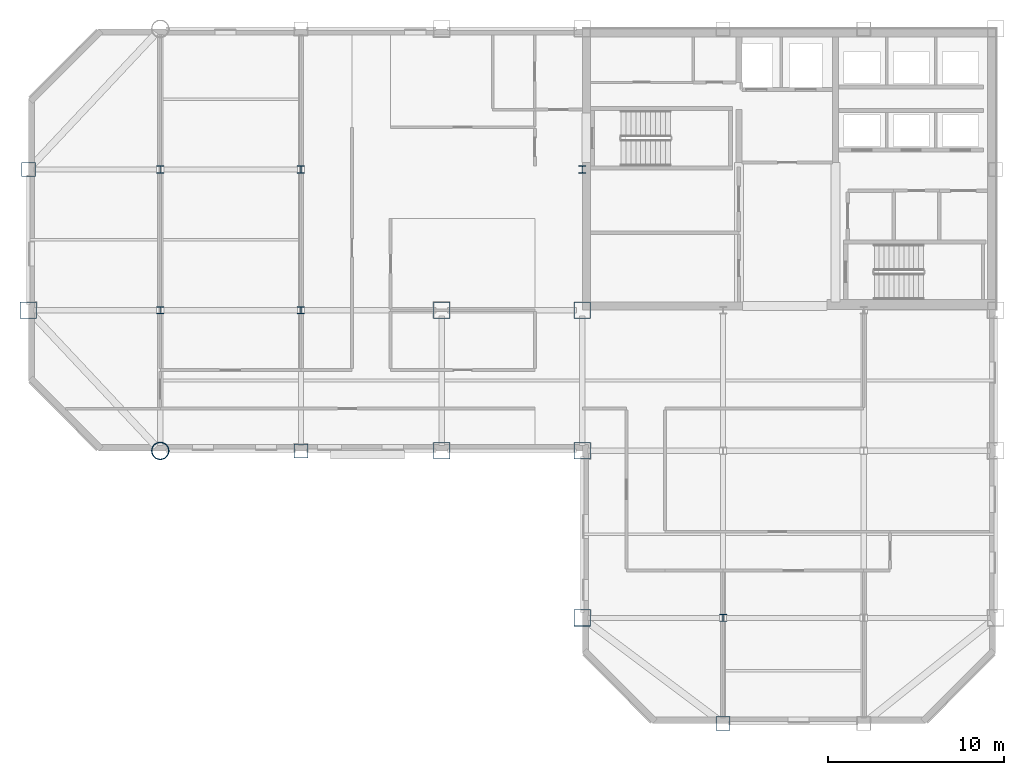
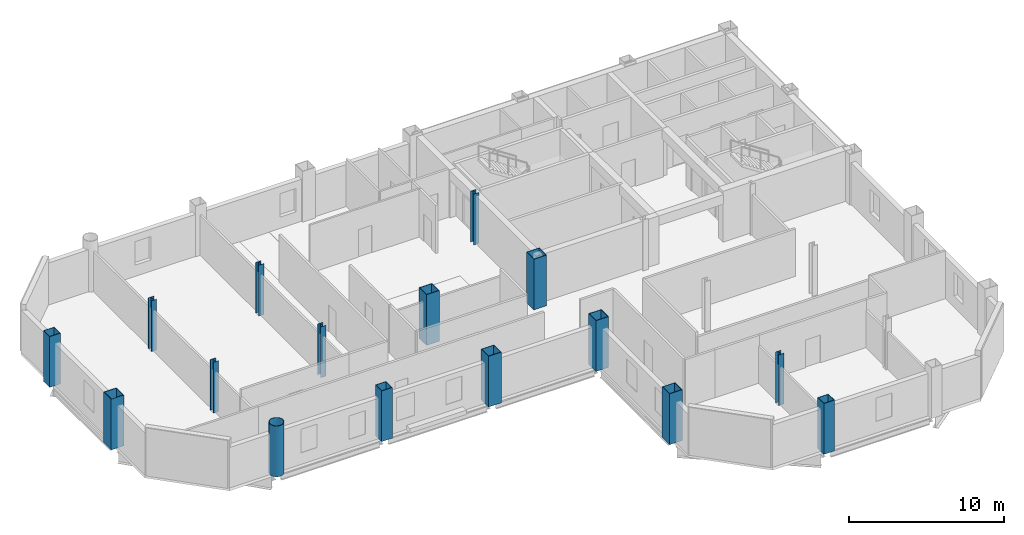
# One storey, part 1 of 10: 16 columns.
"""IFC4 building model written with IfcOpenShell, lengths in metres."""

import ifcopenshell
import ifcopenshell.guid

model = None  # the IFC model being written
_history = None  # IfcOwnerHistory: only IFC2X3 demands one
_inside = {}  # id of a spatial element -> (the spatial element, [elements in it])
_under = {}  # id of a project, library or spatial element -> (it, [spatial elements below it])
_declared = {}  # id of a project -> (the project, [libraries it declares])
_typed = {}  # id of a type object -> (the type object, [elements of that type])
_made_of = {}  # id of a material, layer set ... -> (it, [elements and type objects made of it])


def new_model(schema):
    """Start an empty IFC model of exactly this schema.

    Asked for "IFC4X3", IfcOpenShell would pick the latest addendum, in which some entities
    have other attributes; the version numbers below select the first issue.
    IFC2X3 requires an IfcOwnerHistory on every rooted entity: one is made here for all.
    """
    global model, _history
    if schema == "IFC4X3":
        model = ifcopenshell.file(schema_version=(4, 3, 0, 0))
    else:
        model = ifcopenshell.file(schema=schema)
    _inside.clear()
    _under.clear()
    _declared.clear()
    _typed.clear()
    _made_of.clear()
    _history = None
    if model.schema == "IFC2X3":
        org = make("IfcOrganization", Name="unknown")
        user = make(
            "IfcPersonAndOrganization",
            ThePerson=make("IfcPerson", FamilyName="unknown"),
            TheOrganization=org,
        )
        app = make(
            "IfcApplication",
            ApplicationDeveloper=org,
            Version="unknown",
            ApplicationFullName="unknown",
            ApplicationIdentifier="unknown",
        )
        _history = make(
            "IfcOwnerHistory",
            OwningUser=user,
            OwningApplication=app,
            ChangeAction="ADDED",
            CreationDate=0,
        )
    return model


def make(cls, **values):
    """One entity of the class cls with the attributes given. An attribute that is None is left unset."""
    return model.create_entity(
        cls, **{name: value for name, value in values.items() if value is not None}
    )


def rooted(cls, **values):
    """An entity with a GlobalId (a new one), such as an element, a storey or a relation."""
    return make(cls, GlobalId=ifcopenshell.guid.new(), OwnerHistory=_history, **values)


def si_unit(unit_type, name, prefix=None):
    """IfcSIUnit, for example si_unit("LENGTHUNIT", "METRE", prefix="MILLI")."""
    return make("IfcSIUnit", UnitType=unit_type, Prefix=prefix, Name=name)


def assignment(units):
    """IfcUnitAssignment: the units of a project."""
    return None if units is None else make("IfcUnitAssignment", Units=units)


def point(xyz):
    """IfcCartesianPoint."""
    return None if xyz is None else make("IfcCartesianPoint", Coordinates=xyz)


def direction(xyz):
    """IfcDirection."""
    return None if xyz is None else make("IfcDirection", DirectionRatios=xyz)


def frame(location, z_axis=None, x_axis=None):
    """IfcAxis2Placement3D, a coordinate frame: its origin and axes. An axis left out is left unset."""
    return make(
        "IfcAxis2Placement3D",
        Location=point(location),
        Axis=direction(z_axis),
        RefDirection=direction(x_axis),
    )


def frame_2d(location, x_axis=None):
    """IfcAxis2Placement2D, a coordinate frame in the plane: its origin and x axis."""
    return make(
        "IfcAxis2Placement2D", Location=point(location), RefDirection=direction(x_axis)
    )


def origin():
    """The frame at (0, 0, 0) with its axes left unset."""
    return frame((0.0, 0.0, 0.0))


def origin_2d():
    """The frame at (0, 0) in the plane with its x axis left unset."""
    return frame_2d((0.0, 0.0))


def place(relative_to, where):
    """IfcLocalPlacement: puts the frame where relative to a parent placement (None: the world)."""
    return make(
        "IfcLocalPlacement", PlacementRelTo=relative_to, RelativePlacement=where
    )


def context(
    kind, dimensions, precision=None, world=None, true_north=None, identifier=None
):
    """IfcGeometricRepresentationContext, for example the 3D "Model" context."""
    return make(
        "IfcGeometricRepresentationContext",
        ContextIdentifier=identifier,
        ContextType=kind,
        CoordinateSpaceDimension=dimensions,
        Precision=precision,
        WorldCoordinateSystem=world,
        TrueNorth=true_north,
    )


def subcontext(parent, identifier, kind, view, scale=None):
    """IfcGeometricRepresentationSubContext, for example "Body" below "Model"."""
    return make(
        "IfcGeometricRepresentationSubContext",
        ContextIdentifier=identifier,
        ContextType=kind,
        ParentContext=parent,
        TargetScale=scale,
        TargetView=view,
    )


def project(units=None, contexts=None):
    """IfcProject with its units and contexts."""
    return rooted(
        "IfcProject",
        Name="project",
        RepresentationContexts=contexts,
        UnitsInContext=assignment(units),
    )


def spatial(cls, under=None, at=None, **own):
    """A site, building, storey or space (cls), placed at a placement, below another one or the project."""
    s = rooted(cls, ObjectPlacement=at, **own)
    if under is not None:
        _under.setdefault(under.id(), (under, []))[1].append(s)
    return s


def profile(cls, at=None, kind="AREA", **sizes):
    """A parametric profile (cls). Its sizes go by their IFC names, for example OverallWidth=200.0."""
    return make(cls, ProfileType=kind, Position=at, **sizes)


def hollow_rectangle(**sizes):
    """IfcRectangleHollowProfileDef."""
    return profile("IfcRectangleHollowProfileDef", **sizes)


def hollow_circle(**sizes):
    """IfcCircleHollowProfileDef."""
    return profile("IfcCircleHollowProfileDef", **sizes)


def i_section(**sizes):
    """IfcIShapeProfileDef."""
    return profile("IfcIShapeProfileDef", **sizes)


def extrude(swept, where, along, depth):
    """IfcExtrudedAreaSolid: the profile swept, set in the frame where, extruded along a direction by depth."""
    return make(
        "IfcExtrudedAreaSolid",
        SweptArea=swept,
        Position=where,
        ExtrudedDirection=direction(along),
        Depth=depth,
    )


def shape(context_of_items, identifier, shape_type, items):
    """IfcShapeRepresentation: the items that make up one representation, for example the "Body"."""
    return make(
        "IfcShapeRepresentation",
        ContextOfItems=context_of_items,
        RepresentationIdentifier=identifier,
        RepresentationType=shape_type,
        Items=items,
    )


def material(Name=None, Category=None):
    """IfcMaterial."""
    return make("IfcMaterial", Name=Name, Category=Category)


def material_profile(
    of_material, cross_section, Name=None, Category=None, Priority=None
):
    """IfcMaterialProfile: a cross section and its material."""
    return make(
        "IfcMaterialProfile",
        Name=Name,
        Material=of_material,
        Profile=cross_section,
        Priority=Priority,
        Category=Category,
    )


def profile_set(profiles, Name=None, composite=None):
    """IfcMaterialProfileSet."""
    return make(
        "IfcMaterialProfileSet",
        Name=Name,
        MaterialProfiles=profiles,
        CompositeProfile=composite,
    )


def made_of(thing, what):
    """Note that an element or type object is made of a material, layer set ...; save() writes the relation."""
    if what is not None:
        _made_of.setdefault(what.id(), (what, []))[1].append(thing)
    return thing


def type_object(cls, material=None, **own):
    """A type object (cls), such as IfcWallType, which elements share."""
    return made_of(rooted(cls, **own), material)


def element(
    cls,
    number,
    at=None,
    inside=None,
    cuts=None,
    type_object=None,
    material=None,
    context=None,
    identifier="Body",
    shape_type=None,
    held_by="IfcProductDefinitionShape",
    body=None,
    shapes=None,
    **own,
):
    """One element of the class cls, such as IfcWall. Its Tag is "e" and its number.

    at: its placement. inside: the storey or other place that contains it. cuts: it is an
    opening in that element (IfcRelVoidsElement). A single representation is given by context,
    identifier, shape_type and body (its items); several are given by shapes. held_by: the class
    of the entity that holds the representations. save() writes the other relations.
    """
    e = rooted(cls, Tag="e%d" % number, ObjectPlacement=at, **own)
    if body is not None:
        shapes = [shape(context, identifier, shape_type, body)]
    if shapes is not None:
        e.Representation = make(held_by, Representations=shapes)
    if inside is not None:
        _inside.setdefault(inside.id(), (inside, []))[1].append(e)
    if cuts is not None:
        rooted(
            "IfcRelVoidsElement", RelatingBuildingElement=cuts, RelatedOpeningElement=e
        )
    if type_object is not None:
        _typed.setdefault(type_object.id(), (type_object, []))[1].append(e)
    return made_of(e, material)


def aggregate(whole, parts):
    """IfcRelAggregates: a whole, such as a stair, and the parts it consists of."""
    return rooted("IfcRelAggregates", RelatingObject=whole, RelatedObjects=parts)


def save(model, path):
    """Write the relations noted so far, then the file.

    IfcRelAggregates (storeys below a building ...), IfcRelContainedInSpatialStructure (elements
    in a storey), IfcRelDefinesByType, IfcRelAssociatesMaterial and IfcRelDeclares: one each for
    every whole, place, type object, material and project.
    """
    for whole, parts in _under.values():
        aggregate(whole, parts)
    for where, things in _inside.values():
        rooted(
            "IfcRelContainedInSpatialStructure",
            RelatedElements=things,
            RelatingStructure=where,
        )
    for kind, things in _typed.values():
        rooted("IfcRelDefinesByType", RelatedObjects=things, RelatingType=kind)
    for what, things in _made_of.values():
        rooted("IfcRelAssociatesMaterial", RelatedObjects=things, RelatingMaterial=what)
    for by, libraries in _declared.values():
        rooted("IfcRelDeclares", RelatingContext=by, RelatedDefinitions=libraries)
    model.write(path)


model = new_model("IFC4")

# Units and contexts
model_context = context("Model", 3, precision=1e-05, world=origin(), true_north=direction((0.0, 1.0)))
body_context = subcontext(model_context, "Body", "Model", "MODEL_VIEW")
ifc_project = project(units=[si_unit("LENGTHUNIT", "METRE"), si_unit("AREAUNIT", "SQUARE_METRE"), si_unit("VOLUMEUNIT", "CUBIC_METRE"), si_unit("PLANEANGLEUNIT", "RADIAN"), si_unit("MASSUNIT", "GRAM", prefix="KILO")], contexts=[model_context])

# Site, building, storey
site_placement = place(None, origin())
site = spatial("IfcSite", under=ifc_project, at=site_placement, CompositionType="ELEMENT")
building_placement = place(site_placement, origin())
building = spatial("IfcBuilding", under=site, at=building_placement, Name="Qianrong Seaharbour Tower", CompositionType="ELEMENT")
storey_placement = place(building_placement, frame((0.0, 0.0, 225.800048828125)))
storey = spatial("IfcBuildingStorey", under=building, at=storey_placement, Name="L54", CompositionType="ELEMENT", Elevation=225.800048828125)

# Columns
ifc_material = material(Name="Structural steel SN490B", Category="steel")
ifc_material_profile_1 = material_profile(ifc_material, hollow_rectangle(XDim=0.949951171875, YDim=0.949951171875, WallThickness=0.035888671875, at=origin_2d()), Name="BOX950x950x36")
ifc_profile_set_1 = profile_set([ifc_material_profile_1], Name="Structural steel SN490B")
column_type_1 = type_object("IfcColumnType", Name="COL-CFT-950", PredefinedType="COLUMN", material=ifc_profile_set_1)
for number, where, z_axis, x_axis, name in (
    (1, (9.0, 36.0, 0.0), (0.0, 0.0, 1.0), (1.0, 0.0, 0.0), "L54 Column MC-4 at G2/GF"),
    (2, (32.5, 28.0, 0.0), (0.0, 0.0, 1.0), (1.0, 0.0, 0.0), "L54 Column MC-4 at G5/GE"),
    (3, (32.5, 36.0, 0.0), (0.0, 0.0, 1.0), (1.0, 0.0, 0.0), "L54 Column MC-4 at G5/GF"),
    (4, (40.5, 18.5, 0.0), (0.0, 0.0, 1.0), (1.0, 0.0, 0.0), "L54 Column MC-4 at G6/GD"),
    (5, (40.5, 28.0, 0.0), (0.0, 0.0, 1.0), (1.0, 0.0, 0.0), "L54 Column MC-4 at G6/GE"),
    (6, (40.5, 36.0, 0.0), (0.0, 0.0, 1.0), (1.0, 0.0, 0.0), "L54 Column MC-4 at G6/GF"),
):
    element("IfcColumn", number, at=place(storey_placement, frame(where, z_axis=z_axis, x_axis=x_axis)), inside=storey, type_object=column_type_1, Name=name, PredefinedType="COLUMN", context=body_context, shape_type="SweptSolid", body=[
        extrude(hollow_rectangle(XDim=0.949951171875, YDim=0.949951171875, WallThickness=0.035888671875, at=origin_2d()), origin(), (0.0, 0.0, 1.0), 4.0),
    ])
ifc_material_profile_2 = material_profile(ifc_material, hollow_circle(Radius=0.5, WallThickness=0.035888671875, at=origin_2d()), Name="CHS1000x36")
ifc_profile_set_2 = profile_set([ifc_material_profile_2], Name="Structural steel SN490B")
column_type_2 = type_object("IfcColumnType", Name="COL-CHS-1000", PredefinedType="COLUMN", material=ifc_profile_set_2)
column_placement = place(storey_placement, frame((16.5, 28.0, 0.0), z_axis=(0.0, 0.0, 1.0), x_axis=(1.0, 0.0, 0.0)))
element("IfcColumn", 7, at=column_placement, inside=storey, type_object=column_type_2, Name="L54 Column CC-2 at G3/GE", PredefinedType="COLUMN", context=body_context, shape_type="SweptSolid", body=[
    extrude(hollow_circle(Radius=0.5, WallThickness=0.035888671875, at=origin_2d()), origin(), (0.0, 0.0, 1.0), 4.0),
])
ifc_material_profile_3 = material_profile(ifc_material, i_section(OverallWidth=0.39990234375, OverallDepth=0.39990234375, WebThickness=0.012939453125, FlangeThickness=0.02099609375, FilletRadius=0.02197265625, at=origin_2d()), Name="H400x400x13x21")
ifc_profile_set_3 = profile_set([ifc_material_profile_3], Name="Structural steel SN490B")
column_type_3 = type_object("IfcColumnType", Name="COL-INT-H400", PredefinedType="COLUMN", material=ifc_profile_set_3)
for number, where, z_axis, x_axis, name in (
    (8, (16.5, 36.0, 0.0), (0.0, 0.0, 1.0), (1.0, 0.0, 0.0), "L54 Column IC-3 at G3/GF"),
    (9, (16.5, 44.0, 0.0), (0.0, 0.0, 1.0), (1.0, 0.0, 0.0), "L54 Column IC-3 at G3/GG"),
    (10, (24.5, 36.0, 0.0), (0.0, 0.0, 1.0), (1.0, 0.0, 0.0), "L54 Column IC-3 at G4/GF"),
    (11, (24.5, 44.0, 0.0), (0.0, 0.0, 1.0), (1.0, 0.0, 0.0), "L54 Column IC-3 at G4/GG"),
    (12, (40.5, 44.0, 0.0), (0.0, 0.0, 1.0), (1.0, 0.0, 0.0), "L54 Column IC-3 at G6/GG"),
    (13, (48.5, 18.5, 0.0), (0.0, 0.0, 1.0), (1.0, 0.0, 0.0), "L54 Column IC-3 at G7/GD"),
):
    element("IfcColumn", number, at=place(storey_placement, frame(where, z_axis=z_axis, x_axis=x_axis)), inside=storey, type_object=column_type_3, Name=name, PredefinedType="COLUMN", context=body_context, shape_type="SweptSolid", body=[
        extrude(i_section(OverallWidth=0.39990234375, OverallDepth=0.39990234375, WebThickness=0.012939453125, FlangeThickness=0.02099609375, FilletRadius=0.02197265625, at=origin_2d()), origin(), (0.0, 0.0, 1.0), 4.0),
    ])
ifc_material_profile_4 = material_profile(ifc_material, hollow_rectangle(XDim=0.800048828125, YDim=0.800048828125, WallThickness=0.031982421875, at=origin_2d()), Name="BOX800x800x32")
ifc_profile_set_4 = profile_set([ifc_material_profile_4], Name="Structural steel SN490B")
column_type_4 = type_object("IfcColumnType", Name="COL-PER-800", PredefinedType="COLUMN", material=ifc_profile_set_4)
for number, where, z_axis, x_axis, name in (
    (14, (9.0, 44.0, 0.0), (0.0, 0.0, 1.0), (1.0, 0.0, 0.0), "L54 Column PC-3 at G2/GG"),
    (15, (24.5, 28.0, 0.0), (0.0, 0.0, 1.0), (1.0, 0.0, 0.0), "L54 Column PC-3 at G4/GE"),
    (16, (48.5, 12.5, 0.0), (0.0, 0.0, 1.0), (1.0, 0.0, 0.0), "L54 Column PC-3 at G7/GC"),
):
    element("IfcColumn", number, at=place(storey_placement, frame(where, z_axis=z_axis, x_axis=x_axis)), inside=storey, type_object=column_type_4, Name=name, PredefinedType="COLUMN", context=body_context, shape_type="SweptSolid", body=[
        extrude(hollow_rectangle(XDim=0.800048828125, YDim=0.800048828125, WallThickness=0.031982421875, at=origin_2d()), origin(), (0.0, 0.0, 1.0), 4.0),
    ])

save(model, "model.ifc")
